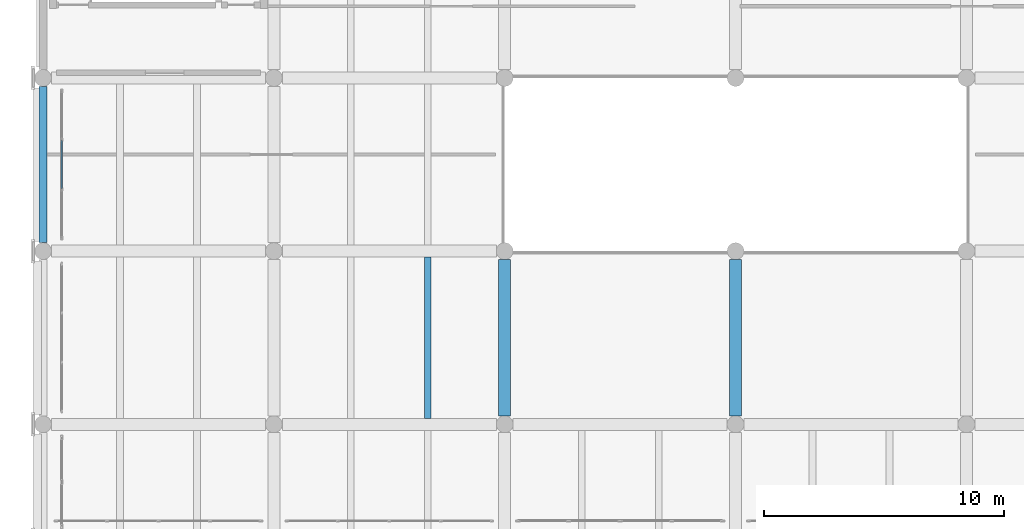
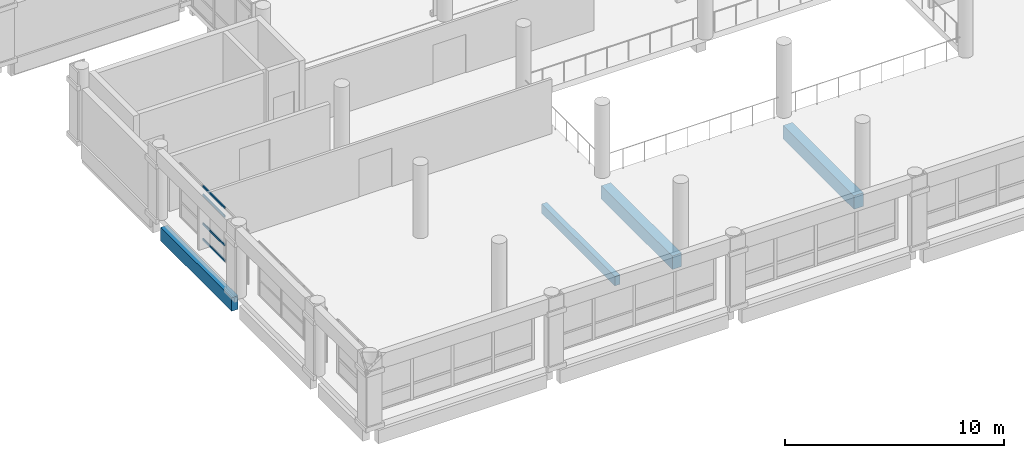
# One storey, part 15 of 180: 4 beams, 4 members, 1 element without a shape of its own.
"""IFC4 building model written with IfcOpenShell, lengths in metres."""

from ifc_helpers import new_model, si_unit, direction, frame, origin, origin_2d, place, context, subcontext, project, spatial, rectangle, hollow_rectangle, extrude, material, layer, layer_set, material_profile, profile_set, type_object, element, aggregate, save


model = new_model("IFC4")

# Units and contexts
model_context = context("Model", 3, precision=1e-05, world=origin(), true_north=direction((0.0, 1.0)))
body_context = subcontext(model_context, "Body", "Model", "MODEL_VIEW")
ifc_project = project(units=[si_unit("LENGTHUNIT", "METRE"), si_unit("AREAUNIT", "SQUARE_METRE"), si_unit("VOLUMEUNIT", "CUBIC_METRE"), si_unit("PLANEANGLEUNIT", "RADIAN"), si_unit("MASSUNIT", "GRAM", prefix="KILO")], contexts=[model_context])

# Site, building, storey
site_placement = place(None, origin())
site = spatial("IfcSite", under=ifc_project, at=site_placement, CompositionType="ELEMENT")
building_placement = place(site_placement, origin())
building = spatial("IfcBuilding", under=site, at=building_placement, Name="Asteropetra Specialist Clinic", CompositionType="ELEMENT")
storey_placement = place(building_placement, frame((0.0, 0.0, 4.419921875)))
storey = spatial("IfcBuildingStorey", under=building, at=storey_placement, Name="L01", CompositionType="ELEMENT", Elevation=4.419921875)

# Beams
ifc_material_1 = material(Name="Concrete C35/45", Category="concrete")
ifc_material_profile_1 = material_profile(ifc_material_1, rectangle(XDim=0.5, YDim=0.75, at=origin_2d()), Name="RCB 500x750")
ifc_profile_set_1 = profile_set([ifc_material_profile_1], Name="Concrete C35/45")
beam_type_1 = type_object("IfcBeamType", Name="BM-RC500x750", PredefinedType="BEAM", material=ifc_profile_set_1)
for number, where, z_axis, x_axis, name in (
    (1, (19.199951171875, 5.14990234375, -0.71484375), (0.0, 1.0, 0.0), (-1.0, 0.0, 0.0), "Beam BBM04-0273"),
    (2, (28.800048828125, 5.14990234375, -0.71484375), (0.0, 1.0, 0.0), (-1.0, 0.0, 0.0), "Beam BBM04-0274"),
):
    element("IfcBeam", number, at=place(storey_placement, frame(where, z_axis=z_axis, x_axis=x_axis)), inside=storey, type_object=beam_type_1, Name=name, PredefinedType="BEAM", context=body_context, shape_type="SweptSolid", body=[
        extrude(rectangle(XDim=0.5, YDim=0.75, at=origin_2d()), origin(), (0.0, 0.0, 1.0), 6.5),
    ])

# Curtain wall, members
ifc_material_2 = material(Name="Aluminium and low-E glass", Category="aluminium")
ifc_layer = layer(ifc_material_2, 0.179931640625)
ifc_layer_set = layer_set([ifc_layer], Name="Aluminium and low-E glass")
curtain_wall_type = type_object("IfcCurtainWallType", Name="CW-SYS-10", PredefinedType="USERDEFINED", material=ifc_layer_set)
curtain_wall_placement = place(storey_placement, origin())
curtain_wall = element("IfcCurtainWall", 3, at=curtain_wall_placement, inside=storey, type_object=curtain_wall_type, Name="Curtain Wall CW-145", ObjectType="STICK GLAZED COLONNADE", PredefinedType="USERDEFINED")
ifc_material_3 = material(Name="Aluminium 6063-T6", Category="aluminium")
ifc_material_profile_2 = material_profile(ifc_material_3, hollow_rectangle(XDim=0.06494140625, YDim=0.1201171875, WallThickness=0.00390625, InnerFilletRadius=0.00390625, OuterFilletRadius=0.008056640625, at=origin_2d()), Name="TRN 120x65x4.0")
ifc_profile_set_2 = profile_set([ifc_material_profile_2], Name="Aluminium 6063-T6")
member_type = type_object("IfcMemberType", Name="CWT-120x65", PredefinedType="USERDEFINED", material=ifc_profile_set_2)
member_1_placement = place(storey_placement, frame((0.780029296875, 16.597412109375, 0.032470703125), z_axis=(0.0, -1.0, 0.0), x_axis=(1.0, 0.0, 0.0)))
member_1 = element("IfcMember", 4, at=member_1_placement, type_object=member_type, Name="CW-145 transom 2.1", ObjectType="TRANSOM", PredefinedType="USERDEFINED", context=body_context, shape_type="SweptSolid", body=[
    extrude(hollow_rectangle(XDim=0.06494140625, YDim=0.1201171875, WallThickness=0.00390625, InnerFilletRadius=0.00390625, OuterFilletRadius=0.008056640625, at=origin_2d()), origin(), (0.0, 0.0, 1.0), 1.994873046875),
])
member_2_placement = place(storey_placement, frame((0.780029296875, 16.597412109375, 0.900146484375), z_axis=(0.0, -1.0, 0.0), x_axis=(1.0, 0.0, 0.0)))
member_2 = element("IfcMember", 5, at=member_2_placement, type_object=member_type, Name="CW-145 transom 2.2", ObjectType="TRANSOM", PredefinedType="USERDEFINED", context=body_context, shape_type="SweptSolid", body=[
    extrude(hollow_rectangle(XDim=0.06494140625, YDim=0.1201171875, WallThickness=0.00390625, InnerFilletRadius=0.00390625, OuterFilletRadius=0.008056640625, at=origin_2d()), origin(), (0.0, 0.0, 1.0), 1.994873046875),
])
member_3_placement = place(storey_placement, frame((0.780029296875, 16.597412109375, 2.510009765625), z_axis=(0.0, -1.0, 0.0), x_axis=(1.0, 0.0, 0.0)))
member_3 = element("IfcMember", 6, at=member_3_placement, type_object=member_type, Name="CW-145 transom 2.3", ObjectType="TRANSOM", PredefinedType="USERDEFINED", context=body_context, shape_type="SweptSolid", body=[
    extrude(hollow_rectangle(XDim=0.06494140625, YDim=0.1201171875, WallThickness=0.00390625, InnerFilletRadius=0.00390625, OuterFilletRadius=0.008056640625, at=origin_2d()), origin(), (0.0, 0.0, 1.0), 1.994873046875),
])
member_4_placement = place(storey_placement, frame((0.780029296875, 16.597412109375, 2.9775390625), z_axis=(0.0, -1.0, 0.0), x_axis=(1.0, 0.0, 0.0)))
member_4 = element("IfcMember", 7, at=member_4_placement, type_object=member_type, Name="CW-145 transom 2.4", ObjectType="TRANSOM", PredefinedType="USERDEFINED", context=body_context, shape_type="SweptSolid", body=[
    extrude(hollow_rectangle(XDim=0.06494140625, YDim=0.1201171875, WallThickness=0.00390625, InnerFilletRadius=0.00390625, OuterFilletRadius=0.008056640625, at=origin_2d()), origin(), (0.0, 0.0, 1.0), 1.994873046875),
])
aggregate(curtain_wall, [member_1, member_2, member_3, member_4])

# Beams
ifc_material_4 = material(Name="Concrete C35/45", Category="concrete")
ifc_material_profile_3 = material_profile(ifc_material_4, rectangle(XDim=0.280029296875, YDim=0.52001953125, at=origin_2d()), Name="RCJ 280x520")
ifc_profile_set_3 = profile_set([ifc_material_profile_3], Name="Concrete C35/45")
beam_type_2 = type_object("IfcBeamType", Name="JST-RC280x520", PredefinedType="JOIST", material=ifc_profile_set_3)
beam_1_placement = place(storey_placement, frame((16.0, 5.050048828125, -0.599853515625), z_axis=(0.0, 1.0, 0.0), x_axis=(-1.0, 0.0, 0.0)))
element("IfcBeam", 8, at=beam_1_placement, inside=storey, type_object=beam_type_2, Name="Joist JJST01-0281", PredefinedType="JOIST", context=body_context, shape_type="SweptSolid", body=[
    extrude(rectangle(XDim=0.280029296875, YDim=0.52001953125, at=origin_2d()), origin(), (0.0, 0.0, 1.0), 6.699951171875),
])
ifc_material_5 = material(Name="Concrete C35/45", Category="concrete")
ifc_material_profile_4 = material_profile(ifc_material_5, rectangle(XDim=0.35009765625, YDim=0.75, at=origin_2d()), Name="RCS 350x750")
ifc_profile_set_4 = profile_set([ifc_material_profile_4], Name="Concrete C35/45")
beam_type_3 = type_object("IfcBeamType", Name="SPN-RC350x750", PredefinedType="SPANDREL", material=ifc_profile_set_4)
beam_2_placement = place(storey_placement, frame((0.0, 12.35009765625, -0.71484375), z_axis=(0.0, 1.0, 0.0), x_axis=(-1.0, 0.0, 0.0)))
element("IfcBeam", 9, at=beam_2_placement, inside=storey, type_object=beam_type_3, Name="Beam BSPN01-0286", PredefinedType="SPANDREL", context=body_context, shape_type="SweptSolid", body=[
    extrude(rectangle(XDim=0.35009765625, YDim=0.75, at=origin_2d()), origin(), (0.0, 0.0, 1.0), 6.5),
])

save(model, "model.ifc")
